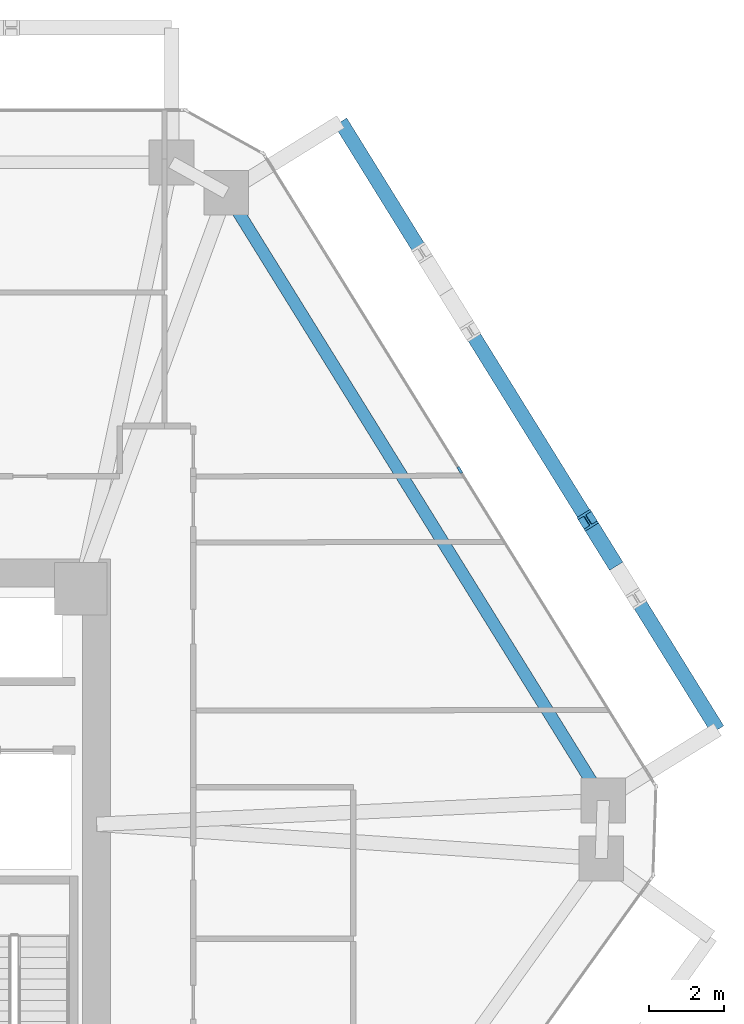
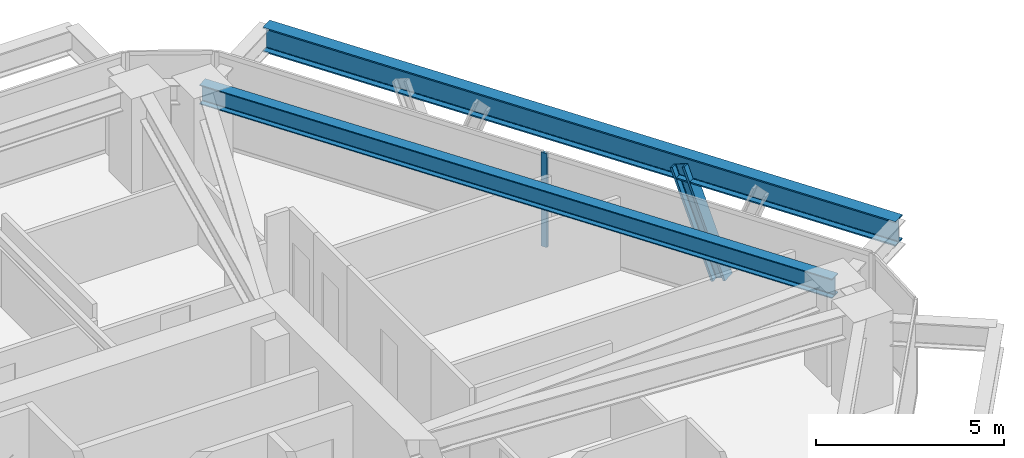
# One storey, part 6 of 14: 2 beams, 2 members, 1 element without a shape of its own.
"""IFC4 building model written with IfcOpenShell, lengths in metres."""

from ifc_helpers import new_model, si_unit, direction, frame, origin, origin_2d, place, context, subcontext, project, spatial, rectangle, i_section, extrude, source, transform, mapped, material, layer, layer_set, material_profile, profile_set, type_object, type_shapes, element, aggregate, save


model = new_model("IFC4")

# Units and contexts
model_context = context("Model", 3, precision=1e-05, world=origin(), true_north=direction((0.0, 1.0)))
body_context = subcontext(model_context, "Body", "Model", "MODEL_VIEW")
ifc_project = project(units=[si_unit("LENGTHUNIT", "METRE"), si_unit("AREAUNIT", "SQUARE_METRE"), si_unit("VOLUMEUNIT", "CUBIC_METRE"), si_unit("PLANEANGLEUNIT", "RADIAN"), si_unit("MASSUNIT", "GRAM", prefix="KILO")], contexts=[model_context])

# Site, building, storey
site_placement = place(None, origin())
site = spatial("IfcSite", under=ifc_project, at=site_placement, CompositionType="ELEMENT")
building_placement = place(site_placement, origin())
building = spatial("IfcBuilding", under=site, at=building_placement, Name="Durnholm Broadcast Tower", CompositionType="ELEMENT")
storey_placement = place(building_placement, frame((0.0, 0.0, 120.60009765625)))
storey = spatial("IfcBuildingStorey", under=building, at=storey_placement, Name="L32", CompositionType="ELEMENT", Elevation=120.60009765625)

# Beams
ifc_material_1 = material(Name="Steel ASTM A992 Grade 50", Category="steel")
ifc_material_profile_1 = material_profile(ifc_material_1, i_section(OverallWidth=0.3291015625, OverallDepth=0.635009765625, WebThickness=0.017822265625, FlangeThickness=0.031005859375, FilletRadius=0.02783203125, at=origin_2d()), Name="W24X162")
ifc_profile_set_1 = profile_set([ifc_material_profile_1], Name="Steel ASTM A992 Grade 50")
beam_type_1 = type_object("IfcBeamType", Name="STL-SP-W24X162", PredefinedType="SPANDREL", material=ifc_profile_set_1)
shared_shape_1 = source(origin(), body_context, "Body", "SweptSolid", [
    extrude(i_section(OverallWidth=0.3291015625, OverallDepth=0.635009765625, WebThickness=0.017822265625, FlangeThickness=0.031005859375, FilletRadius=0.02783203125, at=origin_2d()), origin(), (0.0, 0.0, 1.0), 19.139404296875),
])
type_shapes(beam_type_1, [shared_shape_1])
beam_1_placement = place(storey_placement, frame((13.692138671875, 18.4013671875, 2.727294921875), z_axis=(0.527111038734, -0.84979641847, 0.0), x_axis=(0.84979641847, 0.527111038734, 0.0)))
element("IfcBeam", 1, at=beam_1_placement, inside=storey, type_object=beam_type_1, Name="L32 perimeter spandrel girder 07", PredefinedType="SPANDREL", context=body_context, shape_type="MappedRepresentation", body=[
    mapped(shared_shape_1, transform((0.0, 0.0, 0.0), x_axis=(1.0, 0.0, 0.0), y_axis=(0.0, 1.0, 0.0), z_axis=(0.0, 0.0, 1.0), scale=1.0)),
])
ifc_material_profile_2 = material_profile(ifc_material_1, i_section(OverallWidth=0.385009765625, OverallDepth=0.802978515625, WebThickness=0.023681640625, FlangeThickness=0.0419921875, FilletRadius=0.032958984375, at=origin_2d()), Name="W30X261")
ifc_profile_set_2 = profile_set([ifc_material_profile_2], Name="Steel ASTM A992 Grade 50")
beam_type_2 = type_object("IfcBeamType", Name="BM-EXO-TIE", PredefinedType="USERDEFINED", material=ifc_profile_set_2)
shared_shape_2 = source(origin(), body_context, "Body", "SweptSolid", [
    extrude(i_section(OverallWidth=0.385009765625, OverallDepth=0.802978515625, WebThickness=0.023681640625, FlangeThickness=0.0419921875, FilletRadius=0.032958984375, at=origin_2d()), origin(), (0.0, 0.0, 1.0), 19.139404296875),
])
type_shapes(beam_type_2, [shared_shape_2])
beam_2_placement = place(storey_placement, frame((26.840087890625, 4.0341796875, 2.30859375), z_axis=(-0.527111038734, 0.84979641847, 0.0), x_axis=(-0.84979641847, -0.527111038734, 0.0)))
element("IfcBeam", 2, at=beam_2_placement, inside=storey, type_object=beam_type_2, Name="L32 exoskeleton collector spandrel F3", PredefinedType="SPANDREL", context=body_context, shape_type="MappedRepresentation", body=[
    mapped(shared_shape_2, transform((0.0, 0.0, 0.0), x_axis=(1.0, 0.0, 0.0), y_axis=(0.0, 1.0, 0.0), z_axis=(0.0, 0.0, 1.0), scale=1.0)),
])

# Member
ifc_material_2 = material(Name="Steel ASTM A913 Grade 65", Category="steel")
ifc_material_profile_3 = material_profile(ifc_material_2, i_section(OverallWidth=0.41845703125, OverallDepth=0.455078125, WebThickness=0.0419921875, FlangeThickness=0.067626953125, FilletRadius=0.030517578125, at=origin_2d()), Name="W14X370")
ifc_profile_set_3 = profile_set([ifc_material_profile_3], Name="Steel ASTM A913 Grade 65")
member_type_1 = type_object("IfcMemberType", Name="STL-DG-W14X370", PredefinedType="BRACE", material=ifc_profile_set_3)
shared_shape_3 = source(origin(), body_context, "Body", "SweptSolid", [
    extrude(i_section(OverallWidth=0.41845703125, OverallDepth=0.455078125, WebThickness=0.0419921875, FlangeThickness=0.067626953125, FilletRadius=0.030517578125, at=origin_2d()), origin(), (0.0, 0.0, 1.0), 3.523193359375),
])
type_shapes(member_type_1, [shared_shape_3])
member_1_placement = place(storey_placement, frame((24.01513671875, 8.58837890625, -0.991455078125), z_axis=(-0.184606642766, 0.297560406921, 0.936684681032), x_axis=(-0.849750220063, -0.527185511469, 0.0)))
element("IfcMember", 3, at=member_1_placement, inside=storey, type_object=member_type_1, Name="L32 stand-off diagrid brace F3.D1.2", PredefinedType="BRACE", context=body_context, shape_type="MappedRepresentation", body=[
    mapped(shared_shape_3, transform((0.0, 0.0, 0.0), x_axis=(1.0, 0.0, 0.0), y_axis=(0.0, 1.0, 0.0), z_axis=(0.0, 0.0, 1.0), scale=1.0)),
])

# Curtain wall, member
ifc_material_3 = material(Name="Aluminium and Solar Control IGU", Category="aluminium")
ifc_layer = layer(ifc_material_3, 0.18994140625)
ifc_layer_set = layer_set([ifc_layer], Name="Aluminium and Solar Control IGU")
curtain_wall_type = type_object("IfcCurtainWallType", Name="CW-SYS-3", PredefinedType="NOTDEFINED", material=ifc_layer_set)
curtain_wall_placement = place(storey_placement, origin())
curtain_wall = element("IfcCurtainWall", 4, at=curtain_wall_placement, inside=storey, type_object=curtain_wall_type, Name="L32 curtain wall CW-Z12-VIS CW-L32-F06", PredefinedType="NOTDEFINED")
ifc_material_4 = material(Name="Aluminium 6063-T6", Category="aluminium")
ifc_material_profile_4 = material_profile(ifc_material_4, rectangle(XDim=0.070068359375, YDim=0.18994140625, at=origin_2d()), Name="CWM70X190")
ifc_profile_set_4 = profile_set([ifc_material_profile_4], Name="Aluminium 6063-T6")
member_type_2 = type_object("IfcMemberType", Name="CW-SYS-3-MUL", PredefinedType="MULLION", material=ifc_profile_set_4)
shared_shape_4 = source(origin(), body_context, "Body", "SweptSolid", [
    extrude(rectangle(XDim=0.070068359375, YDim=0.18994140625, at=origin_2d()), origin(), (0.0, 0.0, 1.0), 3.059814453125),
])
type_shapes(member_type_2, [shared_shape_4])
member_2_placement = place(storey_placement, frame((19.9423828125, 10.980712890625, 0.0), z_axis=(0.0, 0.0, 1.0), x_axis=(0.849799925229, 0.527105385176, 0.0)))
member_2 = element("IfcMember", 5, at=member_2_placement, type_object=member_type_2, Name="CW-Z12-VIS mullion 2", PredefinedType="MULLION", context=body_context, shape_type="MappedRepresentation", body=[
    mapped(shared_shape_4, transform((0.0, 0.0, 0.0), x_axis=(1.0, 0.0, 0.0), y_axis=(0.0, 1.0, 0.0), z_axis=(0.0, 0.0, 1.0), scale=1.0)),
])
aggregate(curtain_wall, [member_2])

save(model, "model.ifc")
